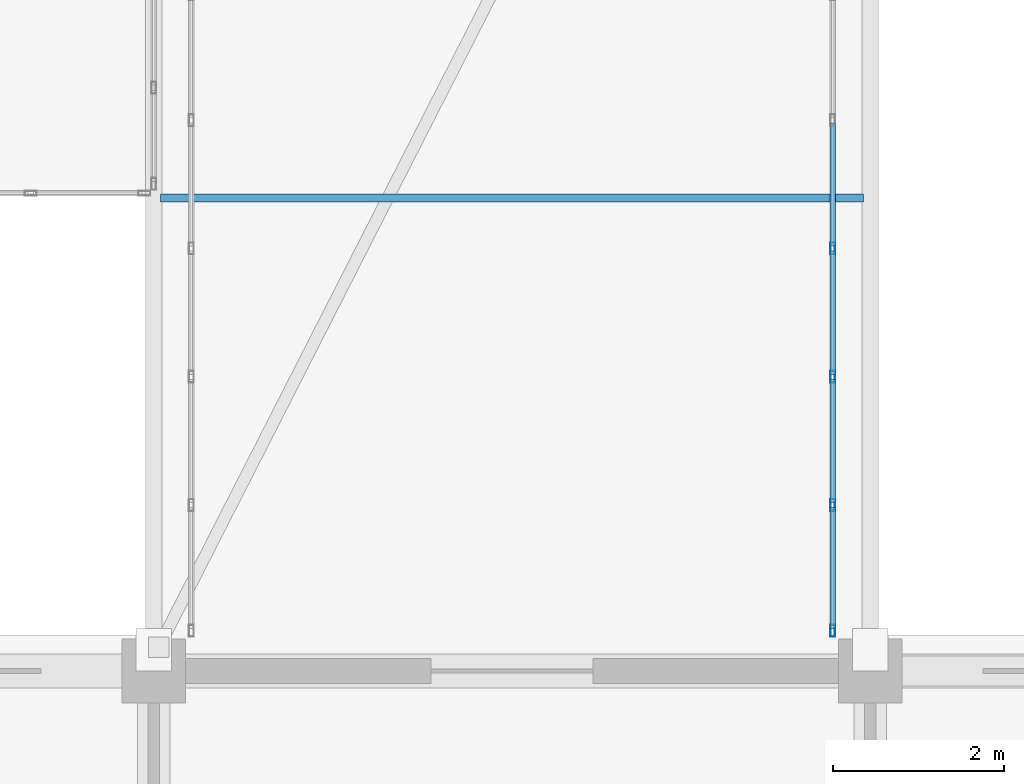
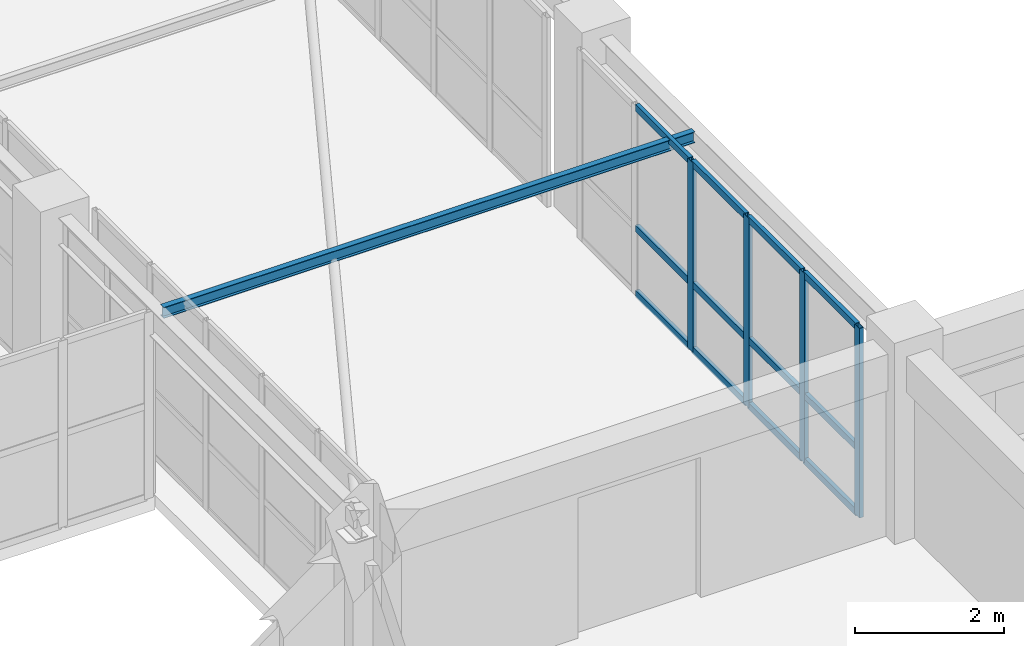
# One storey, part 50 of 200: 16 members, 1 beam, 1 element without a shape of its own.
"""IFC4 building model written with IfcOpenShell, lengths in metres."""

from ifc_helpers import new_model, si_unit, direction, frame, origin, origin_2d, place, context, subcontext, project, spatial, hollow_rectangle, i_section, extrude, material, layer, layer_set, material_profile, profile_set, type_object, element, aggregate, save


model = new_model("IFC4")

# Units and contexts
model_context = context("Model", 3, precision=1e-05, world=origin(), true_north=direction((0.0, 1.0)))
body_context = subcontext(model_context, "Body", "Model", "MODEL_VIEW")
ifc_project = project(units=[si_unit("LENGTHUNIT", "METRE"), si_unit("AREAUNIT", "SQUARE_METRE"), si_unit("VOLUMEUNIT", "CUBIC_METRE"), si_unit("PLANEANGLEUNIT", "RADIAN"), si_unit("MASSUNIT", "GRAM", prefix="KILO")], contexts=[model_context])

# Site, building, storey
site_placement = place(None, origin())
site = spatial("IfcSite", under=ifc_project, at=site_placement, CompositionType="ELEMENT")
building_placement = place(site_placement, origin())
building = spatial("IfcBuilding", under=site, at=building_placement, Name="Trelvath General Hospital", CompositionType="ELEMENT")
storey_placement = place(building_placement, frame((0.0, 0.0, 4.800048828125)))
storey = spatial("IfcBuildingStorey", under=building, at=storey_placement, Name="L01", CompositionType="ELEMENT", Elevation=4.800048828125)

# Beam
ifc_material_1 = material(Name="Steel S355", Category="steel")
ifc_material_profile_1 = material_profile(ifc_material_1, i_section(OverallWidth=0.091064453125, OverallDepth=0.179931640625, WebThickness=0.00537109375, FlangeThickness=0.008056640625, at=origin_2d()), Name="IPE180")
ifc_profile_set_1 = profile_set([ifc_material_profile_1], Name="Steel S355")
beam_type = type_object("IfcBeamType", Name="BridgeJoist IPE180", PredefinedType="JOIST", material=ifc_profile_set_1)
beam_placement = place(storey_placement, frame((75.679931640625, 30.743896484375, 3.02001953125), z_axis=(1.0, 0.0, 0.0), x_axis=(0.0, 1.0, 0.0)))
element("IfcBeam", 1, at=beam_placement, inside=storey, type_object=beam_type, Name="Bridge Cross Joist BRG-S-C L02", PredefinedType="JOIST", context=body_context, shape_type="SweptSolid", body=[
    extrude(i_section(OverallWidth=0.091064453125, OverallDepth=0.179931640625, WebThickness=0.00537109375, FlangeThickness=0.008056640625, at=origin_2d()), origin(), (0.0, 0.0, 1.0), 8.239990234375),
])

# Curtain wall, members
ifc_material_2 = material(Name="Anodised aluminium and low-E glass", Category="aluminium")
ifc_layer = layer(ifc_material_2, 0.139892578125)
ifc_layer_set = layer_set([ifc_layer], Name="Anodised aluminium and low-E glass")
curtain_wall_type = type_object("IfcCurtainWallType", Name="CW Bridge 752 311", PredefinedType="USERDEFINED", material=ifc_layer_set)
curtain_wall_placement = place(storey_placement, origin())
curtain_wall = element("IfcCurtainWall", 2, at=curtain_wall_placement, inside=storey, type_object=curtain_wall_type, Name="Glazed Bridge Curtain Wall BRG-S-C E L01", ObjectType="Unitised Glazed Curtain Wall", PredefinedType="USERDEFINED")
ifc_material_3 = material(Name="Anodised aluminium", Category="aluminium")
ifc_material_profile_2 = material_profile(ifc_material_3, hollow_rectangle(XDim=0.06005859375, YDim=0.139892578125, WallThickness=0.00390625, at=origin_2d()), Name="RHS60x140x4")
ifc_profile_set_2 = profile_set([ifc_material_profile_2], Name="Anodised aluminium")
member_type_1 = type_object("IfcMemberType", Name="CurtainMullion 60x140", PredefinedType="MULLION", material=ifc_profile_set_2)
member_1_placement = place(storey_placement, frame((83.56005859375, 30.152099609375, 0.0), z_axis=(0.0, 0.0, 1.0), x_axis=(1.0, 0.0, 0.0)))
member_1 = element("IfcMember", 3, at=member_1_placement, type_object=member_type_1, Name="CW-179 mullion 3", PredefinedType="MULLION", context=body_context, shape_type="SweptSolid", body=[
    extrude(hollow_rectangle(XDim=0.06005859375, YDim=0.139892578125, WallThickness=0.00390625, at=origin_2d()), origin(), (0.0, 0.0, 1.0), 3.10986328125),
])
member_2_placement = place(storey_placement, frame((83.56005859375, 28.64794921875, 0.0), z_axis=(0.0, 0.0, 1.0), x_axis=(1.0, 0.0, 0.0)))
member_2 = element("IfcMember", 4, at=member_2_placement, type_object=member_type_1, Name="CW-179 mullion 4", PredefinedType="MULLION", context=body_context, shape_type="SweptSolid", body=[
    extrude(hollow_rectangle(XDim=0.06005859375, YDim=0.139892578125, WallThickness=0.00390625, at=origin_2d()), origin(), (0.0, 0.0, 1.0), 3.10986328125),
])
member_3_placement = place(storey_placement, frame((83.56005859375, 27.14404296875, 0.0), z_axis=(0.0, 0.0, 1.0), x_axis=(1.0, 0.0, 0.0)))
member_3 = element("IfcMember", 5, at=member_3_placement, type_object=member_type_1, Name="CW-179 mullion 5", PredefinedType="MULLION", context=body_context, shape_type="SweptSolid", body=[
    extrude(hollow_rectangle(XDim=0.06005859375, YDim=0.139892578125, WallThickness=0.00390625, at=origin_2d()), origin(), (0.0, 0.0, 1.0), 3.10986328125),
])
member_4_placement = place(storey_placement, frame((83.56005859375, 25.669921875, 0.0), z_axis=(0.0, 0.0, 1.0), x_axis=(1.0, 0.0, 0.0)))
member_4 = element("IfcMember", 6, at=member_4_placement, type_object=member_type_1, Name="CW-179 mullion 6", PredefinedType="MULLION", context=body_context, shape_type="SweptSolid", body=[
    extrude(hollow_rectangle(XDim=0.06005859375, YDim=0.139892578125, WallThickness=0.00390625, at=origin_2d()), origin(), (0.0, 0.0, 1.0), 3.10986328125),
])
ifc_material_4 = material(Name="Anodised aluminium", Category="aluminium")
ifc_material_profile_3 = material_profile(ifc_material_4, hollow_rectangle(XDim=0.06005859375, YDim=0.110107421875, WallThickness=0.00390625, at=origin_2d()), Name="RHS60x110x4")
ifc_profile_set_3 = profile_set([ifc_material_profile_3], Name="Anodised aluminium")
member_type_2 = type_object("IfcMemberType", Name="CurtainTransom 60x110", PredefinedType="USERDEFINED", material=ifc_profile_set_3)
member_5_placement = place(storey_placement, frame((83.56005859375, 31.6259765625, 0.030029296875), z_axis=(0.0, -1.0, 0.0), x_axis=(1.0, 0.0, 0.0)))
member_5 = element("IfcMember", 7, at=member_5_placement, type_object=member_type_2, Name="CW-179 transom 2.1", ObjectType="TRANSOM", PredefinedType="USERDEFINED", context=body_context, shape_type="SweptSolid", body=[
    extrude(hollow_rectangle(XDim=0.06005859375, YDim=0.110107421875, WallThickness=0.00390625, at=origin_2d()), origin(), (0.0, 0.0, 1.0), 1.444091796875),
])
member_6_placement = place(storey_placement, frame((83.56005859375, 31.6259765625, 1.099853515625), z_axis=(0.0, -1.0, 0.0), x_axis=(1.0, 0.0, 0.0)))
member_6 = element("IfcMember", 8, at=member_6_placement, type_object=member_type_2, Name="CW-179 transom 2.2", ObjectType="TRANSOM", PredefinedType="USERDEFINED", context=body_context, shape_type="SweptSolid", body=[
    extrude(hollow_rectangle(XDim=0.06005859375, YDim=0.110107421875, WallThickness=0.00390625, at=origin_2d()), origin(), (0.0, 0.0, 1.0), 1.444091796875),
])
member_7_placement = place(storey_placement, frame((83.56005859375, 31.6259765625, 3.079833984375), z_axis=(0.0, -1.0, 0.0), x_axis=(1.0, 0.0, 0.0)))
member_7 = element("IfcMember", 9, at=member_7_placement, type_object=member_type_2, Name="CW-179 transom 2.3", ObjectType="TRANSOM", PredefinedType="USERDEFINED", context=body_context, shape_type="SweptSolid", body=[
    extrude(hollow_rectangle(XDim=0.06005859375, YDim=0.110107421875, WallThickness=0.00390625, at=origin_2d()), origin(), (0.0, 0.0, 1.0), 1.444091796875),
])
member_8_placement = place(storey_placement, frame((83.56005859375, 30.1220703125, 0.030029296875), z_axis=(0.0, -1.0, 0.0), x_axis=(1.0, 0.0, 0.0)))
member_8 = element("IfcMember", 10, at=member_8_placement, type_object=member_type_2, Name="CW-179 transom 3.1", ObjectType="TRANSOM", PredefinedType="USERDEFINED", context=body_context, shape_type="SweptSolid", body=[
    extrude(hollow_rectangle(XDim=0.06005859375, YDim=0.110107421875, WallThickness=0.00390625, at=origin_2d()), origin(), (0.0, 0.0, 1.0), 1.444091796875),
])
member_9_placement = place(storey_placement, frame((83.56005859375, 30.1220703125, 1.099853515625), z_axis=(0.0, -1.0, 0.0), x_axis=(1.0, 0.0, 0.0)))
member_9 = element("IfcMember", 11, at=member_9_placement, type_object=member_type_2, Name="CW-179 transom 3.2", ObjectType="TRANSOM", PredefinedType="USERDEFINED", context=body_context, shape_type="SweptSolid", body=[
    extrude(hollow_rectangle(XDim=0.06005859375, YDim=0.110107421875, WallThickness=0.00390625, at=origin_2d()), origin(), (0.0, 0.0, 1.0), 1.444091796875),
])
member_10_placement = place(storey_placement, frame((83.56005859375, 30.1220703125, 3.079833984375), z_axis=(0.0, -1.0, 0.0), x_axis=(1.0, 0.0, 0.0)))
member_10 = element("IfcMember", 12, at=member_10_placement, type_object=member_type_2, Name="CW-179 transom 3.3", ObjectType="TRANSOM", PredefinedType="USERDEFINED", context=body_context, shape_type="SweptSolid", body=[
    extrude(hollow_rectangle(XDim=0.06005859375, YDim=0.110107421875, WallThickness=0.00390625, at=origin_2d()), origin(), (0.0, 0.0, 1.0), 1.444091796875),
])
member_11_placement = place(storey_placement, frame((83.56005859375, 28.617919921875, 0.030029296875), z_axis=(0.0, -1.0, 0.0), x_axis=(1.0, 0.0, 0.0)))
member_11 = element("IfcMember", 13, at=member_11_placement, type_object=member_type_2, Name="CW-179 transom 4.1", ObjectType="TRANSOM", PredefinedType="USERDEFINED", context=body_context, shape_type="SweptSolid", body=[
    extrude(hollow_rectangle(XDim=0.06005859375, YDim=0.110107421875, WallThickness=0.00390625, at=origin_2d()), origin(), (0.0, 0.0, 1.0), 1.44384765625),
])
member_12_placement = place(storey_placement, frame((83.56005859375, 28.617919921875, 1.099853515625), z_axis=(0.0, -1.0, 0.0), x_axis=(1.0, 0.0, 0.0)))
member_12 = element("IfcMember", 14, at=member_12_placement, type_object=member_type_2, Name="CW-179 transom 4.2", ObjectType="TRANSOM", PredefinedType="USERDEFINED", context=body_context, shape_type="SweptSolid", body=[
    extrude(hollow_rectangle(XDim=0.06005859375, YDim=0.110107421875, WallThickness=0.00390625, at=origin_2d()), origin(), (0.0, 0.0, 1.0), 1.44384765625),
])
member_13_placement = place(storey_placement, frame((83.56005859375, 28.617919921875, 3.079833984375), z_axis=(0.0, -1.0, 0.0), x_axis=(1.0, 0.0, 0.0)))
member_13 = element("IfcMember", 15, at=member_13_placement, type_object=member_type_2, Name="CW-179 transom 4.3", ObjectType="TRANSOM", PredefinedType="USERDEFINED", context=body_context, shape_type="SweptSolid", body=[
    extrude(hollow_rectangle(XDim=0.06005859375, YDim=0.110107421875, WallThickness=0.00390625, at=origin_2d()), origin(), (0.0, 0.0, 1.0), 1.44384765625),
])
member_14_placement = place(storey_placement, frame((83.56005859375, 27.114013671875, 0.030029296875), z_axis=(0.0, -1.0, 0.0), x_axis=(1.0, 0.0, 0.0)))
member_14 = element("IfcMember", 16, at=member_14_placement, type_object=member_type_2, Name="CW-179 transom 5.1", ObjectType="TRANSOM", PredefinedType="USERDEFINED", context=body_context, shape_type="SweptSolid", body=[
    extrude(hollow_rectangle(XDim=0.06005859375, YDim=0.110107421875, WallThickness=0.00390625, at=origin_2d()), origin(), (0.0, 0.0, 1.0), 1.4140625),
])
member_15_placement = place(storey_placement, frame((83.56005859375, 27.114013671875, 1.099853515625), z_axis=(0.0, -1.0, 0.0), x_axis=(1.0, 0.0, 0.0)))
member_15 = element("IfcMember", 17, at=member_15_placement, type_object=member_type_2, Name="CW-179 transom 5.2", ObjectType="TRANSOM", PredefinedType="USERDEFINED", context=body_context, shape_type="SweptSolid", body=[
    extrude(hollow_rectangle(XDim=0.06005859375, YDim=0.110107421875, WallThickness=0.00390625, at=origin_2d()), origin(), (0.0, 0.0, 1.0), 1.4140625),
])
member_16_placement = place(storey_placement, frame((83.56005859375, 27.114013671875, 3.079833984375), z_axis=(0.0, -1.0, 0.0), x_axis=(1.0, 0.0, 0.0)))
member_16 = element("IfcMember", 18, at=member_16_placement, type_object=member_type_2, Name="CW-179 transom 5.3", ObjectType="TRANSOM", PredefinedType="USERDEFINED", context=body_context, shape_type="SweptSolid", body=[
    extrude(hollow_rectangle(XDim=0.06005859375, YDim=0.110107421875, WallThickness=0.00390625, at=origin_2d()), origin(), (0.0, 0.0, 1.0), 1.4140625),
])
aggregate(curtain_wall, [member_1, member_2, member_3, member_4, member_5, member_6, member_7, member_8, member_9, member_10, member_11, member_12, member_13, member_14, member_15, member_16])

save(model, "model.ifc")
